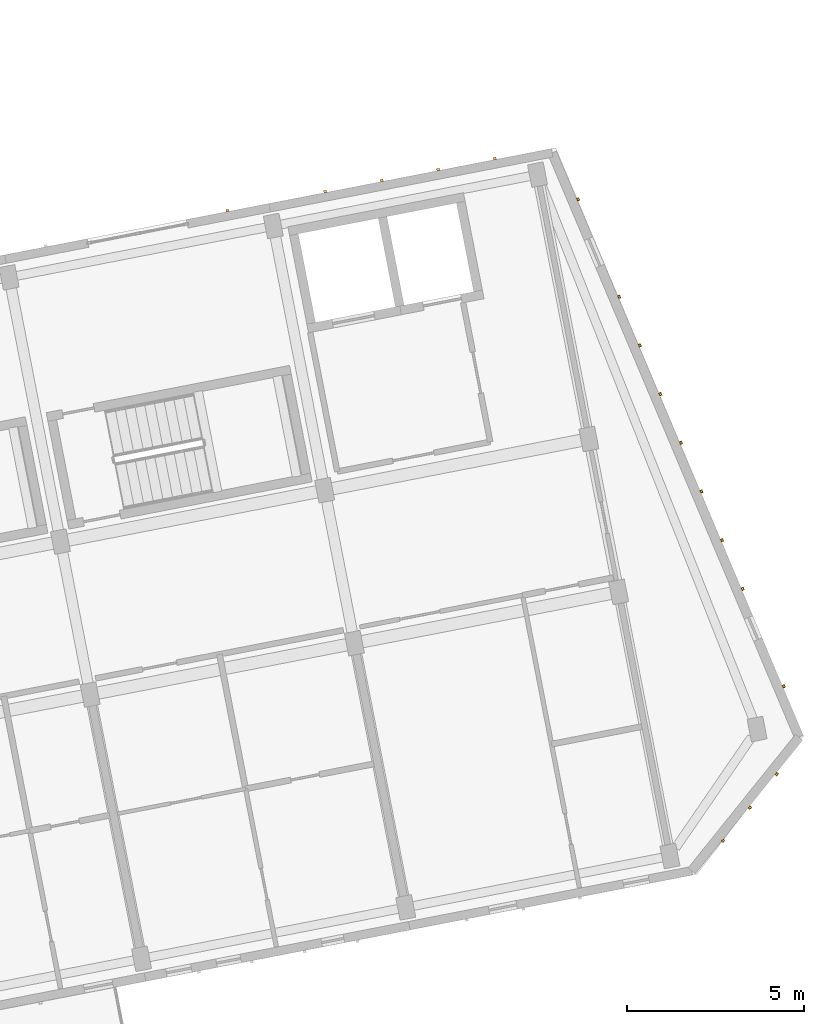
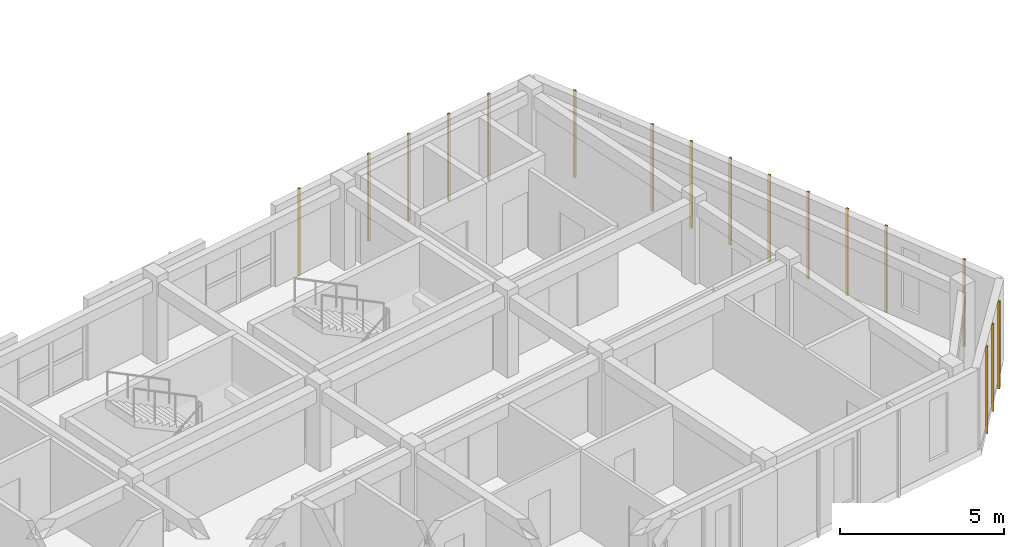
# One storey, part 64 of 68: 17 coverings.
"""IFC4 building model written with IfcOpenShell, lengths in metres."""

from ifc_helpers import new_model, si_unit, direction, frame, origin, origin_2d, place, context, subcontext, project, spatial, rectangle, extrude, material, layer, layer_set, type_object, element, save


model = new_model("IFC4")

# Units and contexts
model_context = context("Model", 3, precision=1e-05, world=origin(), true_north=direction((0.0, 1.0)))
body_context = subcontext(model_context, "Body", "Model", "MODEL_VIEW")
ifc_project = project(units=[si_unit("LENGTHUNIT", "METRE"), si_unit("AREAUNIT", "SQUARE_METRE"), si_unit("VOLUMEUNIT", "CUBIC_METRE"), si_unit("PLANEANGLEUNIT", "RADIAN"), si_unit("MASSUNIT", "GRAM", prefix="KILO")], contexts=[model_context])

# Site, building, storey
site_placement = place(None, origin())
site = spatial("IfcSite", under=ifc_project, at=site_placement, CompositionType="ELEMENT")
building_placement = place(site_placement, origin())
building = spatial("IfcBuilding", under=site, at=building_placement, Name="Kestramere Prow Commons", CompositionType="ELEMENT")
storey_placement = place(building_placement, frame((0.0, 0.0, 18.14990234375)))
storey = spatial("IfcBuildingStorey", under=building, at=storey_placement, Name="L05", CompositionType="ELEMENT", Elevation=18.14990234375)

# Coverings
ifc_material = material(Name="Weathered Zinc-Titanium Standing-Seam Cladding")
ifc_layer = layer(ifc_material, 0.074951171875)
ifc_layer_set = layer_set([ifc_layer], Name="Weathered Zinc-Titanium Standing-Seam Cladding")
covering_type = type_object("IfcCoveringType", Name="COV-CLAD-SEAM", PredefinedType="CLADDING", material=ifc_layer_set)
for number, where, z_axis, x_axis, name in (
    (1, (150.6669921875, 60.92919921875, -0.25), (0.0, 0.0, 1.0), (0.981627183448, 0.190808995377, 0.0), "EW-D-L05-NP-4-R Standing-Seam Rib 1"),
    (2, (153.427734375, 61.4658203125, -0.25), (0.0, 0.0, 1.0), (0.981627183448, 0.190808995377, 0.0), "EW-D-L05-N-5 Standing-Seam Rib 1"),
    (3, (155.02294921875, 61.77587890625, -0.25), (0.0, 0.0, 1.0), (0.981627183448, 0.190808995377, 0.0), "EW-D-L05-N-5 Standing-Seam Rib 2"),
    (4, (156.6181640625, 62.0859375, -0.25), (0.0, 0.0, 1.0), (0.981627183448, 0.190808995377, 0.0), "EW-D-L05-N-5 Standing-Seam Rib 3"),
    (5, (158.21337890625, 62.39599609375, -0.25), (0.0, 0.0, 1.0), (0.981627183448, 0.190808995377, 0.0), "EW-D-L05-N-5 Standing-Seam Rib 4"),
    (6, (160.568115234375, 61.24462890625, -0.25), (0.0, 0.0, 1.0), (0.389220414317, -0.92114465155, 0.0), "EW-D-L05-PRW-N Standing-Seam Rib 1"),
    (7, (161.72998046875, 58.4951171875, -0.25), (0.0, 0.0, 1.0), (0.389220414317, -0.92114465155, 0.0), "EW-D-L05-PRW-N Standing-Seam Rib 3"),
    (8, (162.310791015625, 57.1201171875, -0.25), (0.0, 0.0, 1.0), (0.389220414317, -0.92114465155, 0.0), "EW-D-L05-PRW-N Standing-Seam Rib 4"),
    (9, (162.891845703125, 55.745361328125, -0.25), (0.0, 0.0, 1.0), (0.389220414317, -0.92114465155, 0.0), "EW-D-L05-PRW-N Standing-Seam Rib 5"),
    (10, (163.47265625, 54.37060546875, -0.25), (0.0, 0.0, 1.0), (0.389220414317, -0.92114465155, 0.0), "EW-D-L05-PRW-N Standing-Seam Rib 6"),
    (11, (164.0537109375, 52.995849609375, -0.25), (0.0, 0.0, 1.0), (0.389220414317, -0.92114465155, 0.0), "EW-D-L05-PRW-N Standing-Seam Rib 7"),
    (12, (164.634521484375, 51.620849609375, -0.25), (0.0, 0.0, 1.0), (0.389220414317, -0.92114465155, 0.0), "EW-D-L05-PRW-N Standing-Seam Rib 8"),
    (13, (165.215576171875, 50.24609375, -0.25), (0.0, 0.0, 1.0), (0.389220414317, -0.92114465155, 0.0), "EW-D-L05-PRW-N Standing-Seam Rib 9"),
    (14, (166.37744140625, 47.496337890625, -0.25), (0.0, 0.0, 1.0), (0.389220414317, -0.92114465155, 0.0), "EW-D-L05-PRW-N Standing-Seam Rib 11"),
    (15, (166.177490234375, 45.013427734375, -0.25), (0.0, 0.0, 1.0), (-0.626297717754, -0.779583971575, 0.0), "EW-D-L05-PRW-S Standing-Seam Rib 1"),
    (16, (165.419921875, 44.0703125, -0.25), (0.0, 0.0, 1.0), (-0.626297717754, -0.779583971575, 0.0), "EW-D-L05-PRW-S Standing-Seam Rib 2"),
    (17, (164.662109375, 43.127197265625, -0.25), (0.0, 0.0, 1.0), (-0.626297717754, -0.779583971575, 0.0), "EW-D-L05-PRW-S Standing-Seam Rib 3"),
):
    element("IfcCovering", number, at=place(storey_placement, frame(where, z_axis=z_axis, x_axis=x_axis)), inside=storey, type_object=covering_type, Name=name, PredefinedType="CLADDING", context=body_context, shape_type="SweptSolid", body=[
        extrude(rectangle(XDim=0.0849609375, YDim=0.06494140625, at=origin_2d()), origin(), (0.0, 0.0, 1.0), 3.25),
    ])

save(model, "model.ifc")
